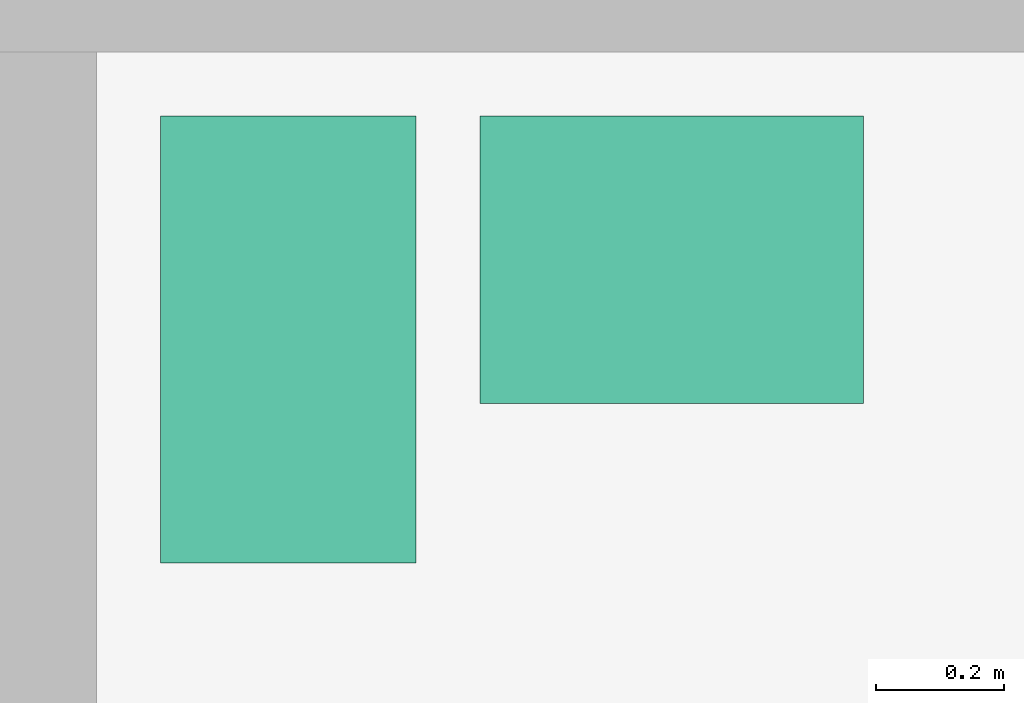
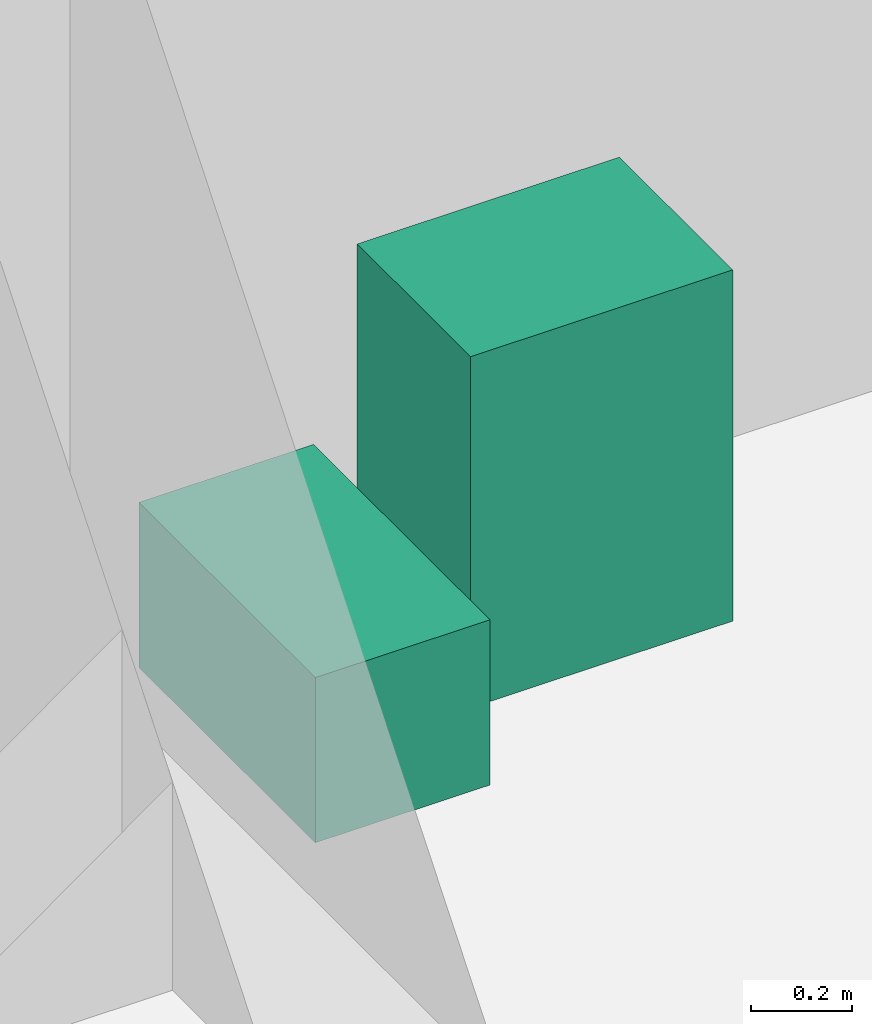
# One storey, part 16 of 16: 2 sanitary terminals.
"""IFC4 building model written with IfcOpenShell, lengths in metres."""

from ifc_helpers import new_model, si_unit, direction, frame, origin, origin_2d, place, context, subcontext, project, spatial, rectangle, extrude, element, save


model = new_model("IFC4")

# Units and contexts
model_context = context("Model", 3, precision=1e-05, world=origin(), true_north=direction((0.0, 1.0)))
body_context = subcontext(model_context, "Body", "Model", "MODEL_VIEW")
ifc_project = project(units=[si_unit("LENGTHUNIT", "METRE"), si_unit("AREAUNIT", "SQUARE_METRE"), si_unit("VOLUMEUNIT", "CUBIC_METRE"), si_unit("PLANEANGLEUNIT", "RADIAN"), si_unit("MASSUNIT", "GRAM", prefix="KILO")], contexts=[model_context])

# Site, building, storey
site_placement = place(None, origin())
site = spatial("IfcSite", under=ifc_project, at=site_placement, CompositionType="ELEMENT")
building_placement = place(site_placement, origin())
building = spatial("IfcBuilding", under=site, at=building_placement, Name="Hankou Lantern Tower", CompositionType="ELEMENT")
storey_placement = place(building_placement, frame((0.0, 0.0, 146.699951171875)))
storey = spatial("IfcBuildingStorey", under=building, at=storey_placement, Name="L38", CompositionType="ELEMENT", Elevation=146.699951171875)

# Sanitary terminals
sanitary_terminal_1_placement = place(storey_placement, frame((-8.5, 3.64990234375, 0.0), z_axis=(0.0, 0.0, 1.0), x_axis=(1.0, 0.0, 0.0)))
element("IfcSanitaryTerminal", 1, at=sanitary_terminal_1_placement, inside=storey, Name="Accessible staff WC WC pan 1", PredefinedType="TOILETPAN", context=body_context, shape_type="SweptSolid", body=[
    extrude(rectangle(XDim=0.39990234375, YDim=0.699951171875, at=origin_2d()), origin(), (0.0, 0.0, 1.0), 0.39990234375),
])
sanitary_terminal_2_placement = place(storey_placement, frame((-7.89990234375, 3.77490234375, 0.0), z_axis=(0.0, 0.0, 1.0), x_axis=(1.0, 0.0, 0.0)))
element("IfcSanitaryTerminal", 2, at=sanitary_terminal_2_placement, inside=storey, Name="Accessible staff WC wash basin 1", PredefinedType="WASHHANDBASIN", context=body_context, shape_type="SweptSolid", body=[
    extrude(rectangle(XDim=0.60009765625, YDim=0.449951171875, at=origin_2d()), origin(), (0.0, 0.0, 1.0), 0.85009765625),
])

save(model, "model.ifc")
